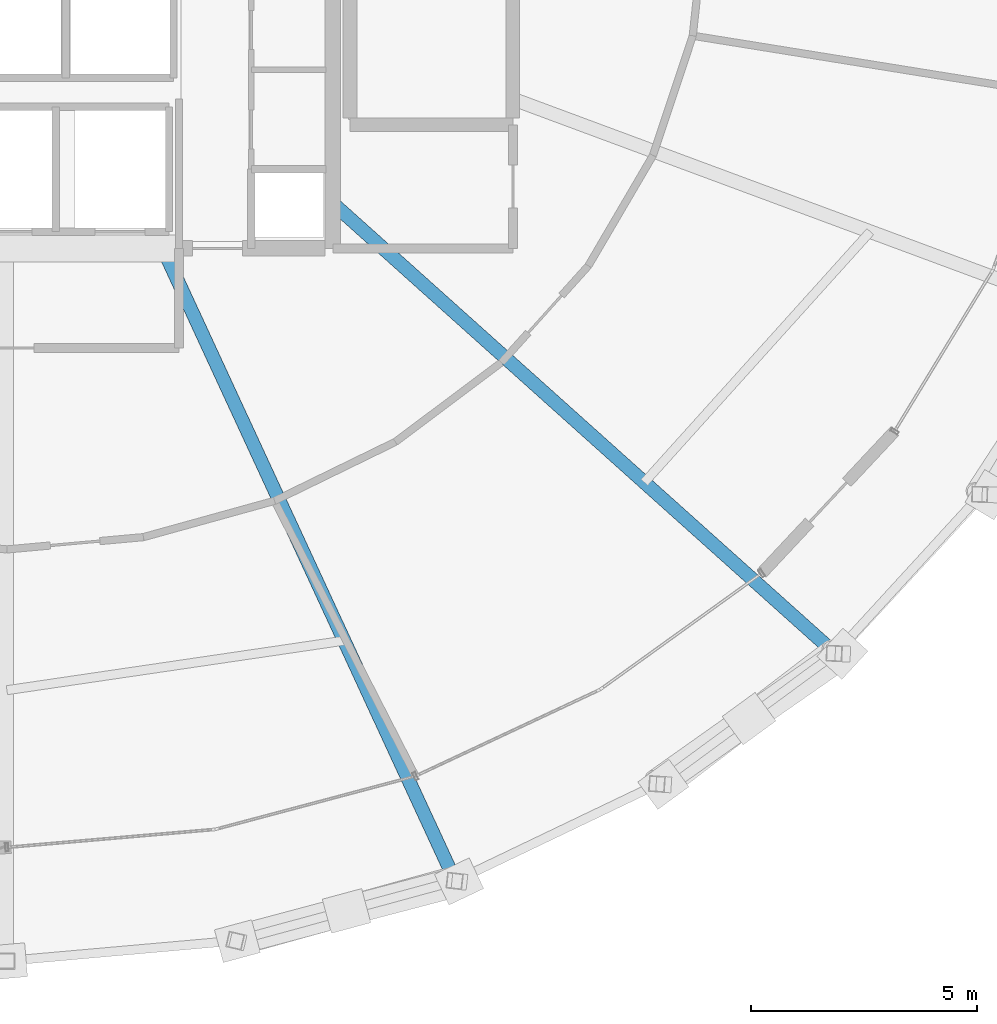
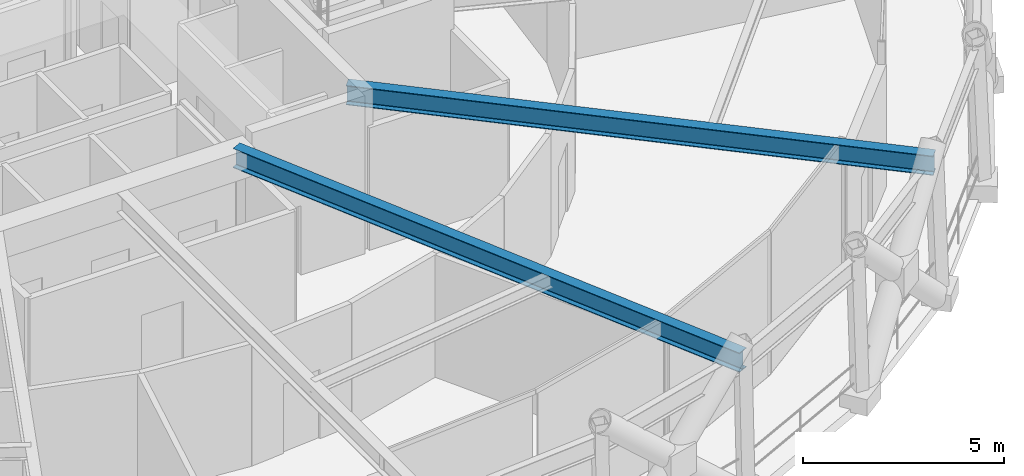
# One storey, part 11 of 29: 2 beams.
"""IFC4 building model written with IfcOpenShell, lengths in metres."""

from ifc_helpers import new_model, si_unit, direction, frame, origin, origin_2d, place, context, subcontext, project, spatial, i_section, extrude, material, material_profile, profile_set, type_object, element, save


model = new_model("IFC4")

# Units and contexts
model_context = context("Model", 3, precision=1e-05, world=origin(), true_north=direction((0.0, 1.0)))
body_context = subcontext(model_context, "Body", "Model", "MODEL_VIEW")
ifc_project = project(units=[si_unit("LENGTHUNIT", "METRE"), si_unit("AREAUNIT", "SQUARE_METRE"), si_unit("VOLUMEUNIT", "CUBIC_METRE"), si_unit("PLANEANGLEUNIT", "RADIAN"), si_unit("MASSUNIT", "GRAM", prefix="KILO")], contexts=[model_context])

# Site, building, storey
site_placement = place(None, origin())
site = spatial("IfcSite", under=ifc_project, at=site_placement, CompositionType="ELEMENT")
building_placement = place(site_placement, origin())
building = spatial("IfcBuilding", under=site, at=building_placement, Name="Veldorina Hangang Commons", CompositionType="ELEMENT")
storey_placement = place(building_placement, frame((0.0, 0.0, 203.60009765625)))
storey = spatial("IfcBuildingStorey", under=building, at=storey_placement, Name="L53", CompositionType="ELEMENT", Elevation=203.60009765625)

# Beams
ifc_material = material(Name="Steel SM460-TMC", Category="steel")
ifc_material_profile = material_profile(ifc_material, i_section(OverallWidth=0.300048828125, OverallDepth=0.587890625, WebThickness=0.011962890625, FlangeThickness=0.02001953125, FilletRadius=0.01806640625, at=origin_2d()), Name="H-588x300x12x20")
ifc_profile_set = profile_set([ifc_material_profile], Name="Steel SM460-TMC")
beam_type = type_object("IfcBeamType", Name="BM-FG588", PredefinedType="BEAM", material=ifc_profile_set)
beam_1_placement = place(storey_placement, frame((35.444091796875, 16.550048828125, 4.14599609375), z_axis=(0.419619133377, -0.907700271512, 0.0), x_axis=(0.907700271512, 0.419619133377, 0.0)))
element("IfcBeam", 1, at=beam_1_placement, inside=storey, type_object=beam_type, Name="L53 radial floor girder 14", PredefinedType="BEAM", context=body_context, shape_type="SweptSolid", body=[
    extrude(i_section(OverallWidth=0.300048828125, OverallDepth=0.587890625, WebThickness=0.011962890625, FlangeThickness=0.02001953125, FilletRadius=0.01806640625, at=origin_2d()), origin(), (0.0, 0.0, 1.0), 15.398193359375),
])
beam_2_placement = place(storey_placement, frame((39.199951171875, 17.548828125, 4.14599609375), z_axis=(0.744767846617, -0.667323650596, 0.0), x_axis=(0.667323650596, 0.744767846617, 0.0)))
element("IfcBeam", 2, at=beam_2_placement, inside=storey, type_object=beam_type, Name="L53 radial floor girder 15", PredefinedType="BEAM", context=body_context, shape_type="SweptSolid", body=[
    extrude(i_section(OverallWidth=0.300048828125, OverallDepth=0.587890625, WebThickness=0.011962890625, FlangeThickness=0.02001953125, FilletRadius=0.01806640625, at=origin_2d()), origin(), (0.0, 0.0, 1.0), 14.907958984375),
])

save(model, "model.ifc")
